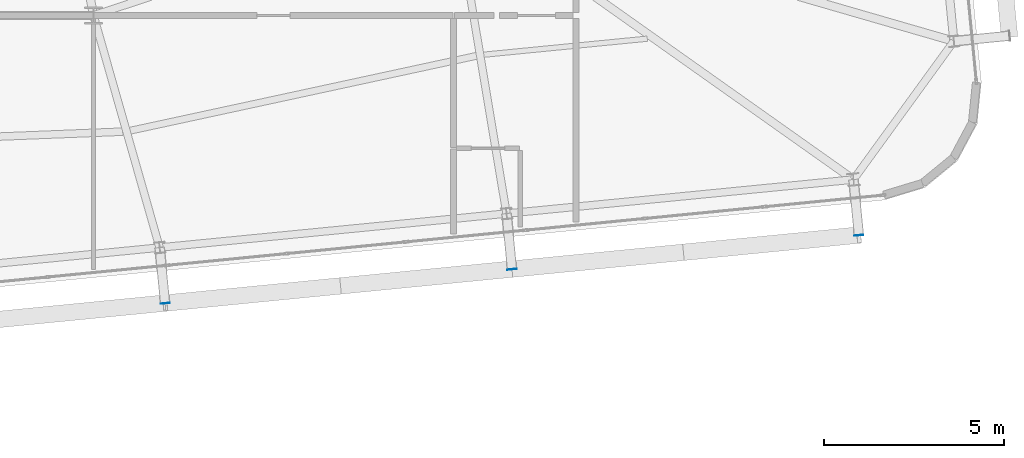
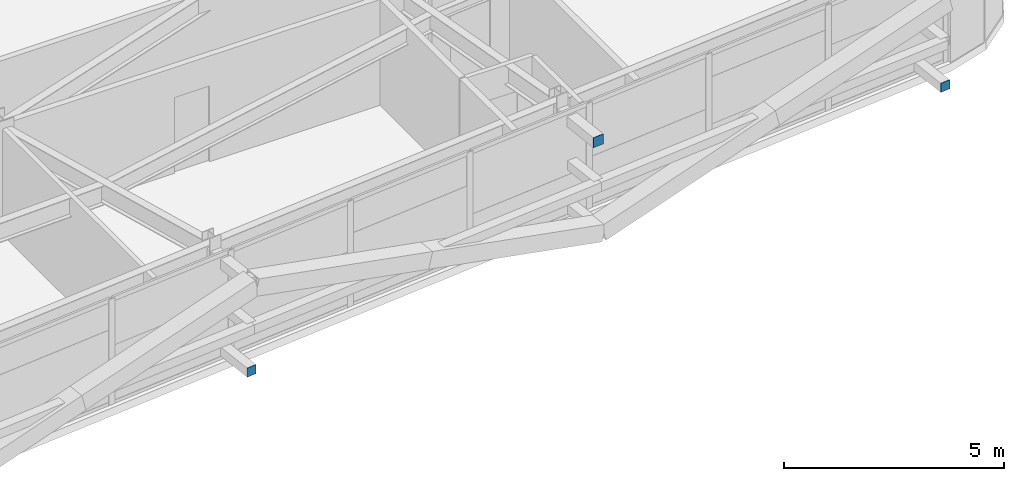
# One storey, part 41 of 53: 3 plates.
"""IFC4 building model written with IfcOpenShell, lengths in metres."""

from ifc_helpers import new_model, si_unit, direction, frame, origin, origin_2d, place, context, subcontext, project, spatial, rectangle, extrude, source, transform, mapped, material, layer, layer_set, type_object, element, save


model = new_model("IFC4")

# Units and contexts
model_context = context("Model", 3, precision=1e-05, world=origin(), true_north=direction((0.0, 1.0)))
body_context = subcontext(model_context, "Body", "Model", "MODEL_VIEW")
ifc_project = project(units=[si_unit("LENGTHUNIT", "METRE"), si_unit("AREAUNIT", "SQUARE_METRE"), si_unit("VOLUMEUNIT", "CUBIC_METRE"), si_unit("PLANEANGLEUNIT", "RADIAN"), si_unit("MASSUNIT", "GRAM", prefix="KILO")], contexts=[model_context])

# Site, building, storey
site_placement = place(None, origin())
site = spatial("IfcSite", under=ifc_project, at=site_placement, CompositionType="ELEMENT")
building_placement = place(site_placement, origin())
building = spatial("IfcBuilding", under=site, at=building_placement, Name="Taldren Reach Tower", CompositionType="ELEMENT")
storey_placement = place(building_placement, frame((0.0, 0.0, 80.85009765625)))
storey = spatial("IfcBuildingStorey", under=building, at=storey_placement, Name="L24", CompositionType="ELEMENT", Elevation=80.85009765625)

# Plates
ifc_material_1 = material(Name="Steel Gr 450 (C450L0)", Category="steel")
ifc_layer_1 = layer(ifc_material_1, 0.011962890625)
ifc_layer_set_1 = layer_set([ifc_layer_1], Name="Steel Gr 450 (C450L0)")
plate_type_1 = type_object("IfcPlateType", Name="PL-CAP-275", PredefinedType="SHEET", material=ifc_layer_set_1)
shared_shape_1 = source(origin(), body_context, "Body", "SweptSolid", [
    extrude(rectangle(XDim=0.27490234375, YDim=0.011962890625, at=origin_2d()), origin(), (0.0, 0.0, 1.0), 0.27490234375),
])
plate_placement = place(storey_placement, frame((53.62109375, 2.14990234375, 2.512451171875), z_axis=(0.0, 0.0, 1.0), x_axis=(0.995227399982, 0.097582899759, 0.0)))
element("IfcPlate", 1, at=plate_placement, inside=storey, type_object=plate_type_1, Name="Tie strut end cap plate B2-S5 L24", PredefinedType="SHEET", context=body_context, shape_type="MappedRepresentation", body=[
    mapped(shared_shape_1, transform((0.0, 0.0, 0.0), scale=1.0)),
])
ifc_material_2 = material(Name="Steel Gr 350 (C350L0)", Category="steel")
ifc_layer_2 = layer(ifc_material_2, 0.011962890625)
ifc_layer_set_2 = layer_set([ifc_layer_2], Name="Steel Gr 350 (C350L0)")
plate_type_2 = type_object("IfcPlateType", Name="PL-CAP-250", PredefinedType="SHEET", material=ifc_layer_set_2)
shared_shape_2 = source(origin(), body_context, "Body", "SweptSolid", [
    extrude(rectangle(XDim=0.25, YDim=0.011962890625, at=origin_2d()), origin(), (0.0, 0.0, 1.0), 0.25),
])
for number, where, z_axis, x_axis, name in (
    (2, (43.9873046875, 1.205322265625, 0.094970703125), (0.0, 0.0, 1.0), (0.995227399982, 0.097582899759, 0.0), "Tie strut end cap plate B2-S4 L24"),
    (3, (63.255126953125, 3.094482421875, 0.094970703125), (0.0, 0.0, 1.0), (0.995227399982, 0.097582899759, 0.0), "Tie strut end cap plate B2-S6 L24"),
):
    element("IfcPlate", number, at=place(storey_placement, frame(where, z_axis=z_axis, x_axis=x_axis)), inside=storey, type_object=plate_type_2, Name=name, PredefinedType="SHEET", context=body_context, shape_type="MappedRepresentation", body=[
        mapped(shared_shape_2, transform((0.0, 0.0, 0.0), scale=1.0)),
    ])

save(model, "model.ifc")
